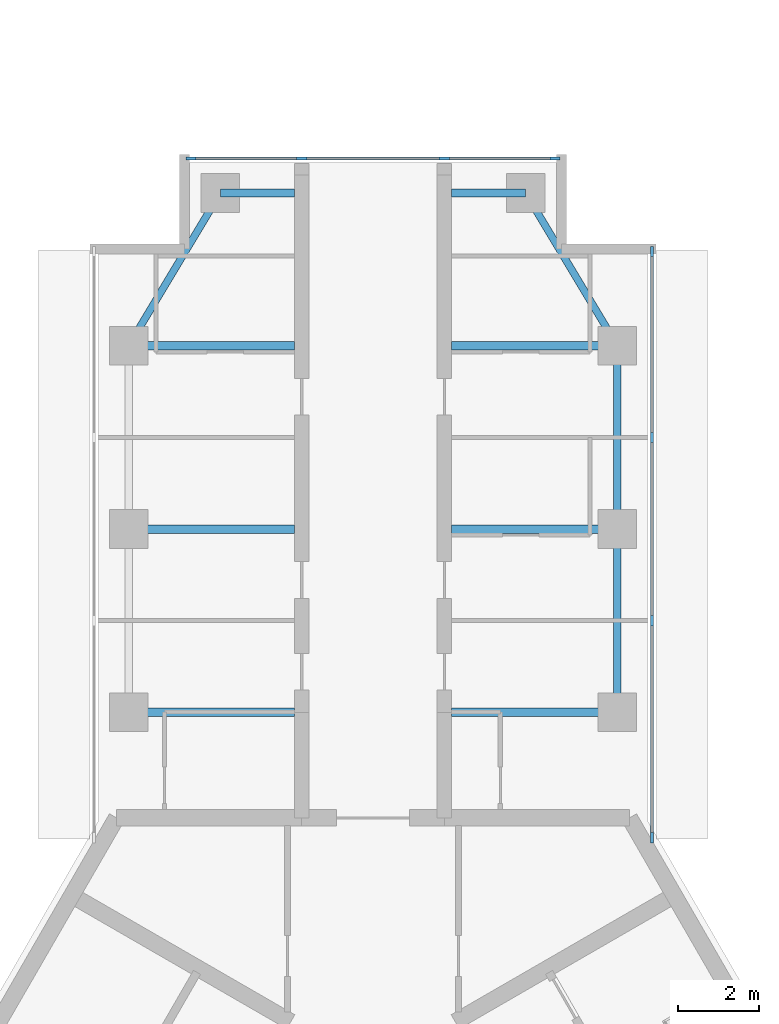
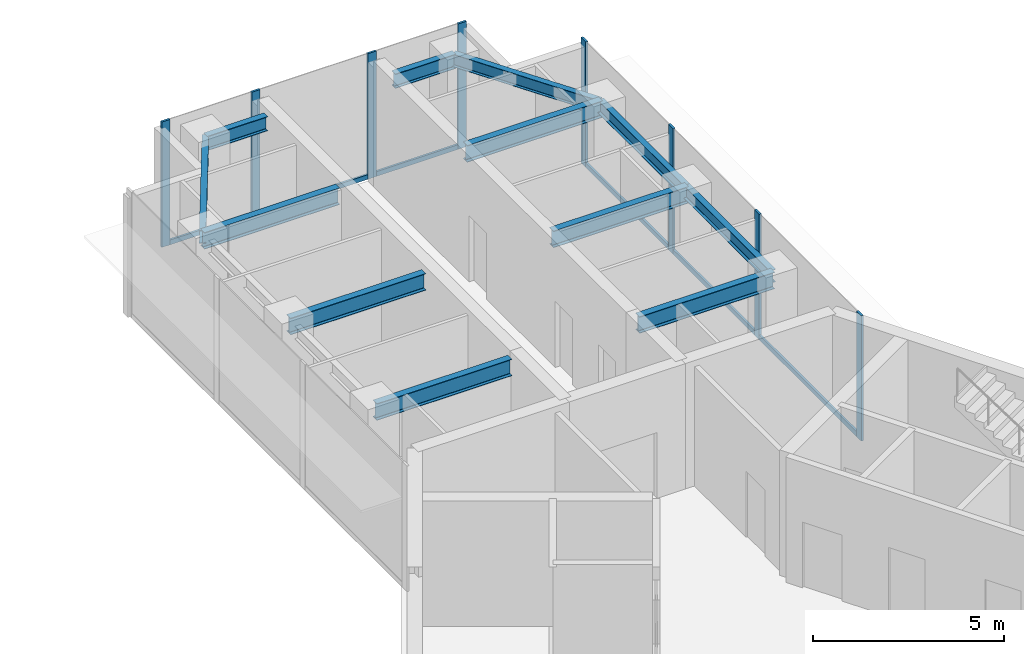
# One storey, part 3 of 11: 14 members, 12 beams, 2 elements without a shape of their own.
"""IFC4 building model written with IfcOpenShell, lengths in metres."""

from ifc_helpers import new_model, si_unit, direction, frame, origin, origin_2d, place, context, subcontext, project, spatial, rectangle, i_section, extrude, material, material_profile, profile_set, type_object, element, aggregate, save


model = new_model("IFC4")

# Units and contexts
model_context = context("Model", 3, precision=1e-05, world=origin(), true_north=direction((0.0, 1.0)))
body_context = subcontext(model_context, "Body", "Model", "MODEL_VIEW")
ifc_project = project(units=[si_unit("LENGTHUNIT", "METRE"), si_unit("AREAUNIT", "SQUARE_METRE"), si_unit("VOLUMEUNIT", "CUBIC_METRE"), si_unit("PLANEANGLEUNIT", "RADIAN"), si_unit("MASSUNIT", "GRAM", prefix="KILO")], contexts=[model_context])

# Site, building, storey
site_placement = place(None, origin())
site = spatial("IfcSite", under=ifc_project, at=site_placement, CompositionType="ELEMENT")
building_placement = place(site_placement, origin())
building = spatial("IfcBuilding", under=site, at=building_placement, Name="Upepo Twin Towers", CompositionType="ELEMENT")
storey_placement = place(building_placement, frame((0.0, 0.0, 279.5)))
storey = spatial("IfcBuildingStorey", under=building, at=storey_placement, Name="L68", CompositionType="ELEMENT", Elevation=279.5)

# Beams
ifc_material_1 = material(Name="Steel S355", Category="steel")
ifc_material_profile_1 = material_profile(ifc_material_1, i_section(OverallWidth=0.177978515625, OverallDepth=0.406494140625, WebThickness=0.0078125, FlangeThickness=0.0126953125, FilletRadius=0.01025390625, at=origin_2d()), Name="UB 406x178x60")
ifc_profile_set_1 = profile_set([ifc_material_profile_1], Name="Steel S355")
beam_type_1 = type_object("IfcBeamType", Name="Beam UB 406x178x60", PredefinedType="BEAM", material=ifc_profile_set_1)
beam_1_placement = place(storey_placement, frame((52.5, 4.5, 3.5966796875), z_axis=(0.514495755428, 0.857492925713, 0.0), x_axis=(-0.857492925713, 0.514495755428, 0.0)))
element("IfcBeam", 1, at=beam_1_placement, inside=storey, type_object=beam_type_1, Name="T2 nose edge beam AL", PredefinedType="BEAM", context=body_context, shape_type="SweptSolid", body=[
    extrude(i_section(OverallWidth=0.177978515625, OverallDepth=0.406494140625, WebThickness=0.0078125, FlangeThickness=0.0126953125, FilletRadius=0.01025390625, at=origin_2d()), origin(), (0.0, 0.0, 1.0), 4.373291015625),
])
for number, where, z_axis, x_axis, name in (
    (2, (64.5, -4.5, 3.5966796875), (0.0, 1.0, 0.0), (-1.0, 0.0, 0.0), "T2 edge beam AR 13.5-18.0"),
    (3, (64.5, 0.0, 3.5966796875), (0.0, 1.0, 0.0), (-1.0, 0.0, 0.0), "T2 edge beam AR 18.0-22.5"),
):
    element("IfcBeam", number, at=place(storey_placement, frame(where, z_axis=z_axis, x_axis=x_axis)), inside=storey, type_object=beam_type_1, Name=name, PredefinedType="BEAM", context=body_context, shape_type="SweptSolid", body=[
        extrude(i_section(OverallWidth=0.177978515625, OverallDepth=0.406494140625, WebThickness=0.0078125, FlangeThickness=0.0126953125, FilletRadius=0.01025390625, at=origin_2d()), origin(), (0.0, 0.0, 1.0), 4.5),
    ])
beam_2_placement = place(storey_placement, frame((64.5, 4.5, 3.5966796875), z_axis=(-0.514495755428, 0.857492925713, 0.0), x_axis=(-0.857492925713, -0.514495755428, 0.0)))
element("IfcBeam", 4, at=beam_2_placement, inside=storey, type_object=beam_type_1, Name="T2 nose edge beam AR", PredefinedType="BEAM", context=body_context, shape_type="SweptSolid", body=[
    extrude(i_section(OverallWidth=0.177978515625, OverallDepth=0.406494140625, WebThickness=0.0078125, FlangeThickness=0.0126953125, FilletRadius=0.01025390625, at=origin_2d()), origin(), (0.0, 0.0, 1.0), 4.373291015625),
])
ifc_material_2 = material(Name="Steel S355", Category="steel")
ifc_material_profile_2 = material_profile(ifc_material_2, i_section(OverallWidth=0.19140625, OverallDepth=0.4599609375, WebThickness=0.010009765625, FlangeThickness=0.01611328125, FilletRadius=0.01025390625, at=origin_2d()), Name="UB 457x191x82")
ifc_profile_set_2 = profile_set([ifc_material_profile_2], Name="Steel S355")
beam_type_2 = type_object("IfcBeamType", Name="Beam UB 457x191x82", PredefinedType="BEAM", material=ifc_profile_set_2)
for number, where, z_axis, x_axis, name in (
    (5, (54.75, 8.25, 3.570068359375), (1.0, 0.0, 0.0), (0.0, 1.0, 0.0), "T2 nose beam AL"),
    (6, (62.25, 8.25, 3.570068359375), (-1.0, 0.0, 0.0), (0.0, -1.0, 0.0), "T2 nose beam AR"),
):
    element("IfcBeam", number, at=place(storey_placement, frame(where, z_axis=z_axis, x_axis=x_axis)), inside=storey, type_object=beam_type_2, Name=name, PredefinedType="BEAM", context=body_context, shape_type="SweptSolid", body=[
        extrude(i_section(OverallWidth=0.19140625, OverallDepth=0.4599609375, WebThickness=0.010009765625, FlangeThickness=0.01611328125, FilletRadius=0.01025390625, at=origin_2d()), origin(), (0.0, 0.0, 1.0), 1.824951171875),
    ])
ifc_material_3 = material(Name="Steel S355", Category="steel")
ifc_material_profile_3 = material_profile(ifc_material_3, i_section(OverallWidth=0.209228515625, OverallDepth=0.533203125, WebThickness=0.010009765625, FlangeThickness=0.015625, FilletRadius=0.0126953125, at=origin_2d()), Name="UB 533x210x92")
ifc_profile_set_3 = profile_set([ifc_material_profile_3], Name="Steel S355")
beam_type_3 = type_object("IfcBeamType", Name="Beam UB 533x210x92", PredefinedType="BEAM", material=ifc_profile_set_3)
for number, where, z_axis, x_axis, name in (
    (7, (52.5, -4.5, 3.533447265625), (1.0, 0.0, 0.0), (0.0, 1.0, 0.0), "T2 girder AL at 13.5"),
    (8, (52.5, 0.0, 3.533447265625), (1.0, 0.0, 0.0), (0.0, 1.0, 0.0), "T2 girder AL at 18.0"),
    (9, (52.5, 4.5, 3.533447265625), (1.0, 0.0, 0.0), (0.0, 1.0, 0.0), "T2 girder AL at 22.5"),
    (10, (64.5, -4.5, 3.533447265625), (-1.0, 0.0, 0.0), (0.0, -1.0, 0.0), "T2 girder AR at 13.5"),
    (11, (64.5, 0.0, 3.533447265625), (-1.0, 0.0, 0.0), (0.0, -1.0, 0.0), "T2 girder AR at 18.0"),
    (12, (64.5, 4.5, 3.533447265625), (-1.0, 0.0, 0.0), (0.0, -1.0, 0.0), "T2 girder AR at 22.5"),
):
    element("IfcBeam", number, at=place(storey_placement, frame(where, z_axis=z_axis, x_axis=x_axis)), inside=storey, type_object=beam_type_3, Name=name, PredefinedType="BEAM", context=body_context, shape_type="SweptSolid", body=[
        extrude(i_section(OverallWidth=0.209228515625, OverallDepth=0.533203125, WebThickness=0.010009765625, FlangeThickness=0.015625, FilletRadius=0.0126953125, at=origin_2d()), origin(), (0.0, 0.0, 1.0), 4.074951171875),
    ])

# Curtain wall, members
ifc_material_4 = material(Name="Aluminium and fritted glass", Category="aluminium")
curtain_wall_type = type_object("IfcCurtainWallType", Name="Tower curtain wall TW4, fritted glass", PredefinedType="NOTDEFINED", material=ifc_material_4)
curtain_wall_1_placement = place(storey_placement, origin())
curtain_wall_1 = element("IfcCurtainWall", 13, at=curtain_wall_1_placement, inside=storey, type_object=curtain_wall_type, Name="T2 L68 wing A flank R curtain wall", PredefinedType="NOTDEFINED")
ifc_material_5 = material(Name="Aluminium mullion", Category="aluminium")
ifc_material_profile_4 = material_profile(ifc_material_5, rectangle(XDim=0.06494140625, YDim=0.25, at=origin_2d()), Name="MULLION 65x250")
ifc_profile_set_4 = profile_set([ifc_material_profile_4], Name="Aluminium mullion")
member_type_1 = type_object("IfcMemberType", Name="Mullion 65x250 TW4", PredefinedType="MULLION", material=ifc_profile_set_4)
member_1_placement = place(storey_placement, frame((65.35009765625, 6.8173828125, 0.0), z_axis=(0.0, 0.0, 1.0), x_axis=(1.0, 0.0, 0.0)))
member_1 = element("IfcMember", 14, at=member_1_placement, type_object=member_type_1, Name="T2 L68 wing A flank R curtain wall mullion 1", PredefinedType="MULLION", context=body_context, shape_type="SweptSolid", body=[
    extrude(rectangle(XDim=0.06494140625, YDim=0.25, at=origin_2d()), origin(), (0.0, 0.0, 1.0), 4.0),
])
member_2_placement = place(storey_placement, frame((65.35009765625, 2.25, 0.0), z_axis=(0.0, 0.0, 1.0), x_axis=(1.0, 0.0, 0.0)))
member_2 = element("IfcMember", 15, at=member_2_placement, type_object=member_type_1, Name="T2 L68 wing A flank R curtain wall mullion 2", PredefinedType="MULLION", context=body_context, shape_type="SweptSolid", body=[
    extrude(rectangle(XDim=0.06494140625, YDim=0.25, at=origin_2d()), origin(), (0.0, 0.0, 1.0), 4.0),
])
member_3_placement = place(storey_placement, frame((65.35009765625, -2.25, 0.0), z_axis=(0.0, 0.0, 1.0), x_axis=(1.0, 0.0, 0.0)))
member_3 = element("IfcMember", 16, at=member_3_placement, type_object=member_type_1, Name="T2 L68 wing A flank R curtain wall mullion 3", PredefinedType="MULLION", context=body_context, shape_type="SweptSolid", body=[
    extrude(rectangle(XDim=0.06494140625, YDim=0.25, at=origin_2d()), origin(), (0.0, 0.0, 1.0), 4.0),
])
member_4_placement = place(storey_placement, frame((65.35009765625, -7.580322265625, 0.0), z_axis=(0.0, 0.0, 1.0), x_axis=(1.0, 0.0, 0.0)))
member_4 = element("IfcMember", 17, at=member_4_placement, type_object=member_type_1, Name="T2 L68 wing A flank R curtain wall mullion 4", PredefinedType="MULLION", context=body_context, shape_type="SweptSolid", body=[
    extrude(rectangle(XDim=0.06494140625, YDim=0.25, at=origin_2d()), origin(), (0.0, 0.0, 1.0), 4.0),
])

curtain_wall_2_placement = place(storey_placement, origin())
curtain_wall_2 = element("IfcCurtainWall", 18, at=curtain_wall_2_placement, inside=storey, type_object=curtain_wall_type, Name="T2 L68 wing A nose curtain wall", PredefinedType="NOTDEFINED")
member_5_placement = place(storey_placement, frame((62.967529296875, 9.10009765625, 0.0), z_axis=(0.0, 0.0, 1.0), x_axis=(0.0, -1.0, 0.0)))
member_5 = element("IfcMember", 19, at=member_5_placement, type_object=member_type_1, Name="T2 L68 wing A nose curtain wall mullion 1", PredefinedType="MULLION", context=body_context, shape_type="SweptSolid", body=[
    extrude(rectangle(XDim=0.06494140625, YDim=0.25, at=origin_2d()), origin(), (0.0, 0.0, 1.0), 4.0),
])
member_6_placement = place(storey_placement, frame((60.25, 9.10009765625, 0.0), z_axis=(0.0, 0.0, 1.0), x_axis=(0.0, -1.0, 0.0)))
member_6 = element("IfcMember", 20, at=member_6_placement, type_object=member_type_1, Name="T2 L68 wing A nose curtain wall mullion 2", PredefinedType="MULLION", context=body_context, shape_type="SweptSolid", body=[
    extrude(rectangle(XDim=0.06494140625, YDim=0.25, at=origin_2d()), origin(), (0.0, 0.0, 1.0), 4.0),
])
member_7_placement = place(storey_placement, frame((56.75, 9.10009765625, 0.0), z_axis=(0.0, 0.0, 1.0), x_axis=(0.0, -1.0, 0.0)))
member_7 = element("IfcMember", 21, at=member_7_placement, type_object=member_type_1, Name="T2 L68 wing A nose curtain wall mullion 3", PredefinedType="MULLION", context=body_context, shape_type="SweptSolid", body=[
    extrude(rectangle(XDim=0.06494140625, YDim=0.25, at=origin_2d()), origin(), (0.0, 0.0, 1.0), 4.0),
])
member_8_placement = place(storey_placement, frame((54.032470703125, 9.10009765625, 0.0), z_axis=(0.0, 0.0, 1.0), x_axis=(0.0, -1.0, 0.0)))
member_8 = element("IfcMember", 22, at=member_8_placement, type_object=member_type_1, Name="T2 L68 wing A nose curtain wall mullion 4", PredefinedType="MULLION", context=body_context, shape_type="SweptSolid", body=[
    extrude(rectangle(XDim=0.06494140625, YDim=0.25, at=origin_2d()), origin(), (0.0, 0.0, 1.0), 4.0),
])

# Member
ifc_material_6 = material(Name="Aluminium transom", Category="aluminium")
ifc_material_profile_5 = material_profile(ifc_material_6, rectangle(XDim=0.06494140625, YDim=0.14990234375, at=origin_2d()), Name="TRANSOM 65x150")
ifc_profile_set_5 = profile_set([ifc_material_profile_5], Name="Aluminium transom")
member_type_2 = type_object("IfcMemberType", Name="Transom 65x150 TW4", PredefinedType="USERDEFINED", material=ifc_profile_set_5)
member_9_placement = place(storey_placement, frame((65.35009765625, 6.784912109375, 0.074951171875), z_axis=(0.0, -1.0, 0.0), x_axis=(1.0, 0.0, 0.0)))
member_9 = element("IfcMember", 23, at=member_9_placement, type_object=member_type_2, Name="T2 L68 wing A flank R curtain wall transom 1", ObjectType="TRANSOM", PredefinedType="USERDEFINED", context=body_context, shape_type="SweptSolid", body=[
    extrude(rectangle(XDim=0.06494140625, YDim=0.14990234375, at=origin_2d()), origin(), (0.0, 0.0, 1.0), 4.50244140625),
])

member_10_placement = place(storey_placement, frame((65.35009765625, 2.217529296875, 0.074951171875), z_axis=(0.0, -1.0, 0.0), x_axis=(1.0, 0.0, 0.0)))
member_10 = element("IfcMember", 24, at=member_10_placement, type_object=member_type_2, Name="T2 L68 wing A flank R curtain wall transom 2", ObjectType="TRANSOM", PredefinedType="USERDEFINED", context=body_context, shape_type="SweptSolid", body=[
    extrude(rectangle(XDim=0.06494140625, YDim=0.14990234375, at=origin_2d()), origin(), (0.0, 0.0, 1.0), 4.43505859375),
])

member_11_placement = place(storey_placement, frame((65.35009765625, -2.282470703125, 0.074951171875), z_axis=(0.0, -1.0, 0.0), x_axis=(1.0, 0.0, 0.0)))
member_11 = element("IfcMember", 25, at=member_11_placement, type_object=member_type_2, Name="T2 L68 wing A flank R curtain wall transom 3", ObjectType="TRANSOM", PredefinedType="USERDEFINED", context=body_context, shape_type="SweptSolid", body=[
    extrude(rectangle(XDim=0.06494140625, YDim=0.14990234375, at=origin_2d()), origin(), (0.0, 0.0, 1.0), 5.265380859375),
])

aggregate(curtain_wall_1, [member_1, member_2, member_3, member_4, member_9, member_10, member_11])

member_12_placement = place(storey_placement, frame((62.93505859375, 9.10009765625, 0.074951171875), z_axis=(-1.0, 0.0, 0.0), x_axis=(0.0, -1.0, 0.0)))
member_12 = element("IfcMember", 26, at=member_12_placement, type_object=member_type_2, Name="T2 L68 wing A nose curtain wall transom 1", ObjectType="TRANSOM", PredefinedType="USERDEFINED", context=body_context, shape_type="SweptSolid", body=[
    extrude(rectangle(XDim=0.06494140625, YDim=0.14990234375, at=origin_2d()), origin(), (0.0, 0.0, 1.0), 2.652587890625),
])

member_13_placement = place(storey_placement, frame((60.217529296875, 9.10009765625, 0.074951171875), z_axis=(-1.0, 0.0, 0.0), x_axis=(0.0, -1.0, 0.0)))
member_13 = element("IfcMember", 27, at=member_13_placement, type_object=member_type_2, Name="T2 L68 wing A nose curtain wall transom 2", ObjectType="TRANSOM", PredefinedType="USERDEFINED", context=body_context, shape_type="SweptSolid", body=[
    extrude(rectangle(XDim=0.06494140625, YDim=0.14990234375, at=origin_2d()), origin(), (0.0, 0.0, 1.0), 3.43505859375),
])

member_14_placement = place(storey_placement, frame((56.717529296875, 9.10009765625, 0.074951171875), z_axis=(-1.0, 0.0, 0.0), x_axis=(0.0, -1.0, 0.0)))
member_14 = element("IfcMember", 28, at=member_14_placement, type_object=member_type_2, Name="T2 L68 wing A nose curtain wall transom 3", ObjectType="TRANSOM", PredefinedType="USERDEFINED", context=body_context, shape_type="SweptSolid", body=[
    extrude(rectangle(XDim=0.06494140625, YDim=0.14990234375, at=origin_2d()), origin(), (0.0, 0.0, 1.0), 2.652587890625),
])

aggregate(curtain_wall_2, [member_5, member_6, member_7, member_8, member_12, member_13, member_14])

save(model, "model.ifc")
